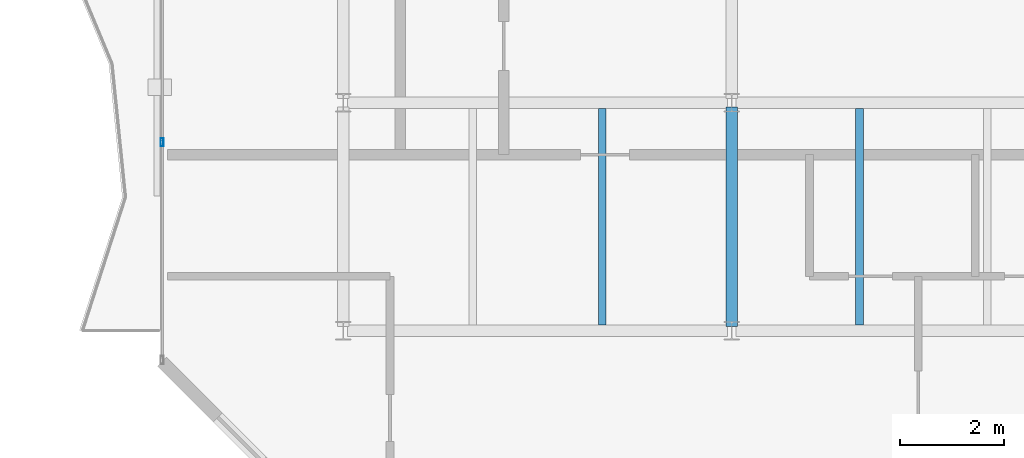
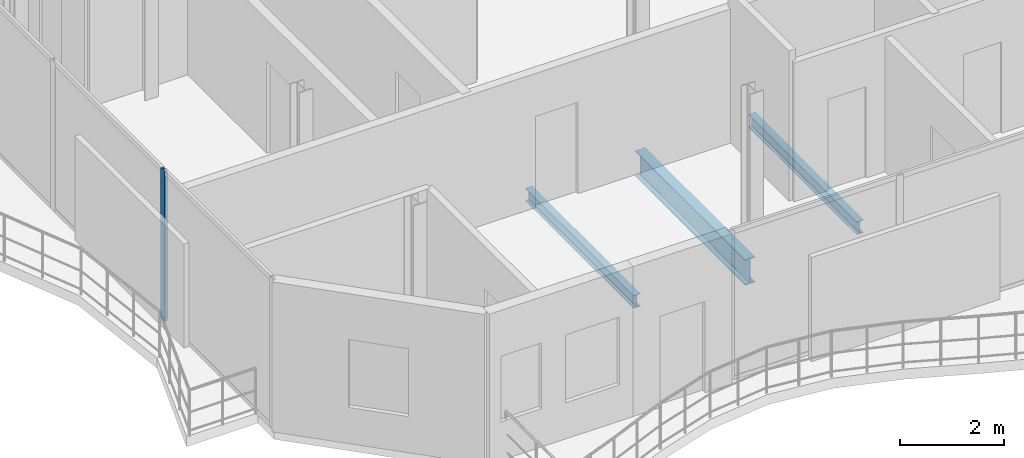
# One storey, part 5 of 23: 3 beams, 1 member, 1 element without a shape of its own.
"""IFC4 building model written with IfcOpenShell, lengths in metres."""

from ifc_helpers import new_model, si_unit, direction, frame, origin, origin_2d, place, context, subcontext, project, spatial, hollow_rectangle, i_section, extrude, material, layer, layer_set, material_profile, profile_set, type_object, element, aggregate, save


model = new_model("IFC4")

# Units and contexts
model_context = context("Model", 3, precision=1e-05, world=origin(), true_north=direction((0.0, 1.0)))
body_context = subcontext(model_context, "Body", "Model", "MODEL_VIEW")
ifc_project = project(units=[si_unit("LENGTHUNIT", "METRE"), si_unit("AREAUNIT", "SQUARE_METRE"), si_unit("VOLUMEUNIT", "CUBIC_METRE"), si_unit("PLANEANGLEUNIT", "RADIAN"), si_unit("MASSUNIT", "GRAM", prefix="KILO")], contexts=[model_context])

# Site, building, storey
site_placement = place(None, origin())
site = spatial("IfcSite", under=ifc_project, at=site_placement, CompositionType="ELEMENT")
building_placement = place(site_placement, origin())
building = spatial("IfcBuilding", under=site, at=building_placement, Name="Catumbela Crestline Tower", CompositionType="ELEMENT")
storey_placement = place(building_placement, frame((0.0, 0.0, 241.2)))
storey = spatial("IfcBuildingStorey", under=building, at=storey_placement, Name="L62", CompositionType="ELEMENT", Elevation=241.2)

# Beams
ifc_material_1 = material(Name="Structural steel S355J2", Category="steel")
ifc_material_profile_1 = material_profile(ifc_material_1, i_section(OverallWidth=0.22, OverallDepth=0.6, WebThickness=0.012, FlangeThickness=0.019, FilletRadius=0.024, at=origin_2d()), Name="IPE 600")
ifc_profile_set_1 = profile_set([ifc_material_profile_1], Name="Structural steel S355J2")
beam_type_1 = type_object("IfcBeamType", Name="BG-IPE600", PredefinedType="BEAM", material=ifc_profile_set_1)
beam_placement = place(storey_placement, frame((16.0, 13.68, -0.56), z_axis=(0.0, 1.0, 0.0), x_axis=(-1.0, 0.0, 0.0)))
element("IfcBeam", 1, at=beam_placement, inside=storey, type_object=beam_type_1, Name="L62 Beam BM-L62-WNS33", PredefinedType="BEAM", context=body_context, shape_type="SweptSolid", body=[
    extrude(i_section(OverallWidth=0.22, OverallDepth=0.6, WebThickness=0.012, FlangeThickness=0.019, FilletRadius=0.024, at=origin_2d()), origin(), (0.0, 0.0, 1.0), 4.24),
])
ifc_material_profile_2 = material_profile(ifc_material_1, i_section(OverallWidth=0.15, OverallDepth=0.3, WebThickness=0.0071, FlangeThickness=0.0107, FilletRadius=0.015, at=origin_2d()), Name="IPE 300")
ifc_profile_set_2 = profile_set([ifc_material_profile_2], Name="Structural steel S355J2")
beam_type_2 = type_object("IfcBeamType", Name="BJ-IPE300", PredefinedType="JOIST", material=ifc_profile_set_2)
for number, where, z_axis, x_axis, name in (
    (2, (13.5, 13.71, -0.41), (0.0, 1.0, 0.0), (-1.0, 0.0, 0.0), "L62 Joist JS-L62-WG37"),
    (3, (18.467, 13.71, -0.41), (0.0, 1.0, 0.0), (-1.0, 0.0, 0.0), "L62 Joist JS-L62-WG38"),
):
    element("IfcBeam", number, at=place(storey_placement, frame(where, z_axis=z_axis, x_axis=x_axis)), inside=storey, type_object=beam_type_2, Name=name, PredefinedType="JOIST", context=body_context, shape_type="SweptSolid", body=[
        extrude(i_section(OverallWidth=0.15, OverallDepth=0.3, WebThickness=0.0071, FlangeThickness=0.0107, FilletRadius=0.015, at=origin_2d()), origin(), (0.0, 0.0, 1.0), 4.18),
    ])

# Curtain wall, member
ifc_material_2 = material(Name="Aluminium alloy AW-6060-T66", Category="aluminium")
ifc_layer = layer(ifc_material_2, 0.18, Name="Aluminium alloy AW-6060-T66")
ifc_layer_set = layer_set([ifc_layer], Name="Aluminium alloy AW-6060-T66")
curtain_wall_type = type_object("IfcCurtainWallType", Name="CWU-Z4", PredefinedType="USERDEFINED", material=ifc_layer_set)
curtain_wall_placement = place(storey_placement, origin())
curtain_wall = element("IfcCurtainWall", 4, at=curtain_wall_placement, inside=storey, type_object=curtain_wall_type, Name="L62 Unitised Curtain Wall CW-L62-E9S2", ObjectType="UNITISED", PredefinedType="USERDEFINED")
ifc_material_profile_3 = material_profile(ifc_material_2, hollow_rectangle(XDim=0.06, YDim=0.16, WallThickness=0.004, at=origin_2d()), Name="ALU 160x60x4")
ifc_profile_set_3 = profile_set([ifc_material_profile_3], Name="Aluminium alloy AW-6060-T66")
member_type = type_object("IfcMemberType", Name="MUL-160X60", PredefinedType="MULLION", material=ifc_profile_set_3)
member_placement = place(storey_placement, frame((5.0, 17.24, 0.0), z_axis=(0.0, 0.0, 1.0), x_axis=(1.0, 0.0, 0.0)))
member = element("IfcMember", 5, at=member_placement, type_object=member_type, Name="CWU-Z4 mullion 5", PredefinedType="MULLION", context=body_context, shape_type="SweptSolid", body=[
    extrude(hollow_rectangle(XDim=0.06, YDim=0.16, WallThickness=0.004, at=origin_2d()), origin(), (0.0, 0.0, 1.0), 3.53),
])
aggregate(curtain_wall, [member])

save(model, "model.ifc")
